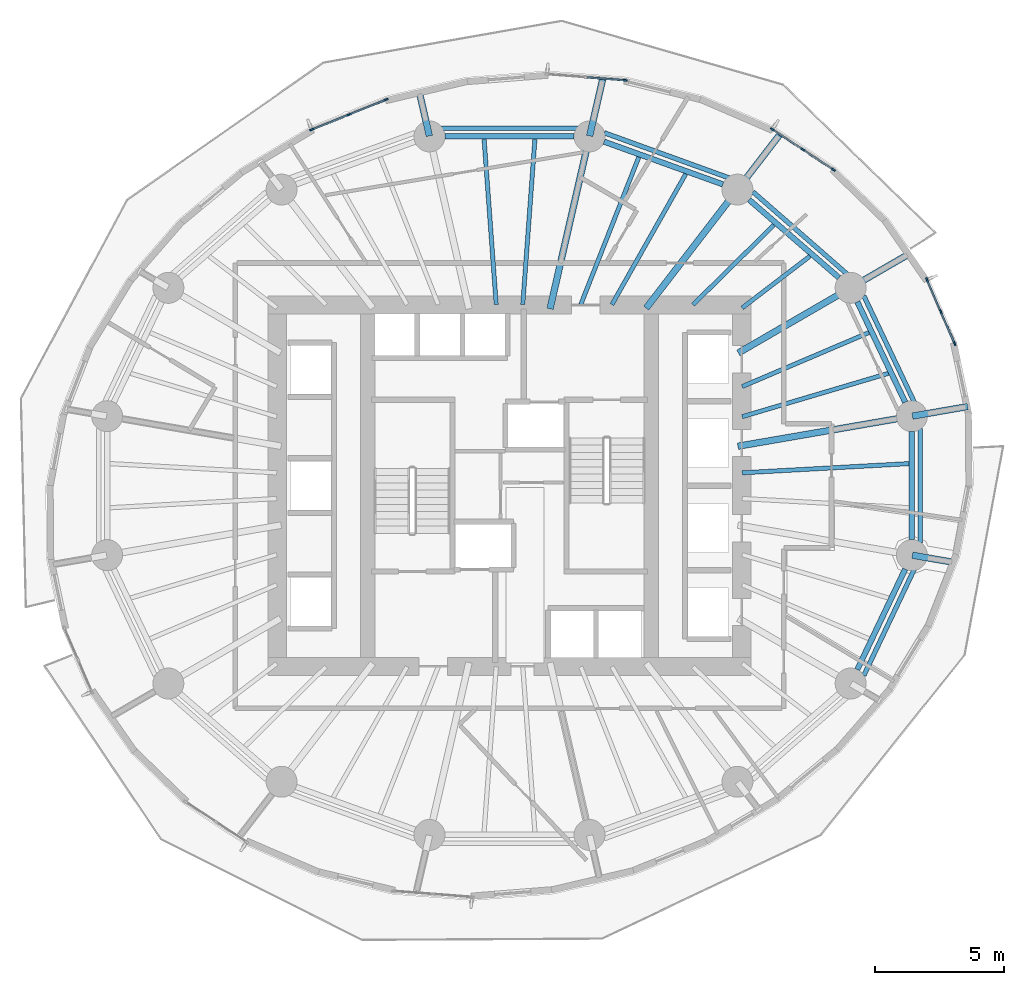
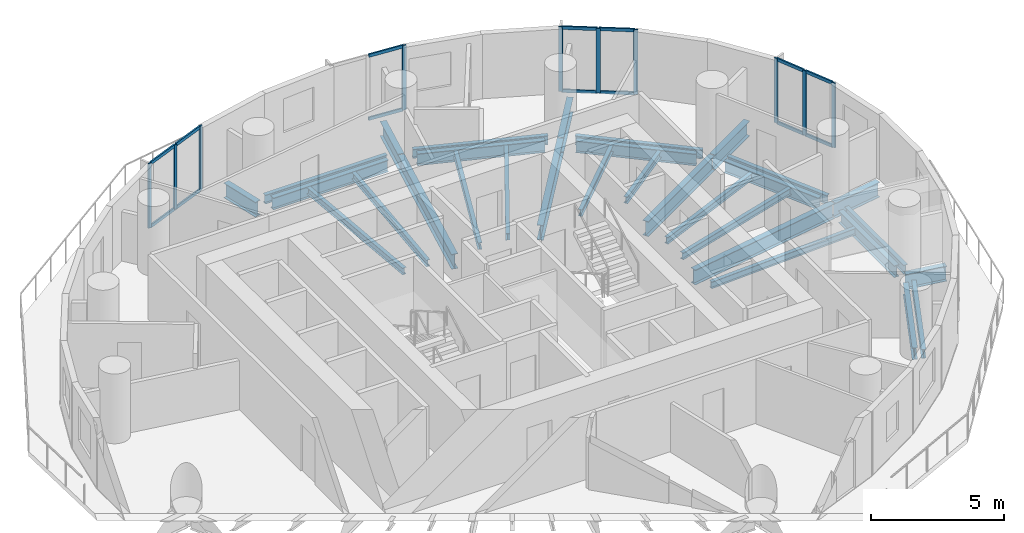
# One storey, part 4 of 14: 31 beams, 24 members, 4 elements without a shape of their own.
"""IFC4 building model written with IfcOpenShell, lengths in metres."""

from ifc_helpers import new_model, si_unit, direction, frame, origin, origin_2d, place, context, subcontext, project, spatial, rectangle, i_section, extrude, material, material_profile, profile_set, type_object, element, aggregate, save


model = new_model("IFC4")

# Units and contexts
model_context = context("Model", 3, precision=1e-05, world=origin(), true_north=direction((0.0, 1.0)))
body_context = subcontext(model_context, "Body", "Model", "MODEL_VIEW")
ifc_project = project(units=[si_unit("LENGTHUNIT", "METRE"), si_unit("AREAUNIT", "SQUARE_METRE"), si_unit("VOLUMEUNIT", "CUBIC_METRE"), si_unit("PLANEANGLEUNIT", "RADIAN"), si_unit("MASSUNIT", "GRAM", prefix="KILO")], contexts=[model_context])

# Site, building, storey
site_placement = place(None, origin())
site = spatial("IfcSite", under=ifc_project, at=site_placement, CompositionType="ELEMENT")
building_placement = place(site_placement, origin())
building = spatial("IfcBuilding", under=site, at=building_placement, Name="Veldorim Arch Residences", CompositionType="ELEMENT")
storey_placement = place(building_placement, frame((0.0, 0.0, 77.280029296875)))
storey = spatial("IfcBuildingStorey", under=building, at=storey_placement, Name="L22", CompositionType="ELEMENT", Elevation=77.280029296875)

# Beams
ifc_material_1 = material(Name="Steel S355", Category="steel")
ifc_material_profile_1 = material_profile(ifc_material_1, i_section(OverallWidth=0.2119140625, OverallDepth=0.54443359375, WebThickness=0.0126953125, FlangeThickness=0.021240234375, at=origin_2d()), Name="UB533x210x122")
ifc_profile_set_1 = profile_set([ifc_material_profile_1], Name="Steel S355")
beam_type_1 = type_object("IfcBeamType", Name="Structural Steel Beam UB533x210x122", PredefinedType="BEAM", material=ifc_profile_set_1)
beam_1_placement = place(storey_placement, frame((47.336181640625, 27.233642578125, -0.51220703125), z_axis=(-0.430720154476, 0.902485539235, 0.0), x_axis=(-0.902485539235, -0.430720154476, 0.0)))
element("IfcBeam", 1, at=beam_1_placement, inside=storey, type_object=beam_type_1, Name="L22 perimeter ring tie beam 01", PredefinedType="BEAM", context=body_context, shape_type="SweptSolid", body=[
    extrude(i_section(OverallWidth=0.2119140625, OverallDepth=0.54443359375, WebThickness=0.0126953125, FlangeThickness=0.021240234375, at=origin_2d()), origin(), (0.0, 0.0, 1.0), 4.312255859375),
])
beam_2_placement = place(storey_placement, frame((44.767333984375, 32.060302734375, -0.51220703125), z_axis=(-0.755244952556, 0.655442645576, 0.0), x_axis=(-0.655442645576, -0.755244952556, 0.0)))
element("IfcBeam", 2, at=beam_2_placement, inside=storey, type_object=beam_type_1, Name="L22 perimeter ring tie beam 02", PredefinedType="BEAM", context=body_context, shape_type="SweptSolid", body=[
    extrude(i_section(OverallWidth=0.2119140625, OverallDepth=0.54443359375, WebThickness=0.0126953125, FlangeThickness=0.021240234375, at=origin_2d()), origin(), (0.0, 0.0, 1.0), 4.608642578125),
])
beam_3_placement = place(storey_placement, frame((40.26904296875, 35.67724609375, -0.51220703125), z_axis=(-0.941041944493, 0.338289903343, 0.0), x_axis=(-0.338289903343, -0.941041944493, 0.0)))
element("IfcBeam", 3, at=beam_3_placement, inside=storey, type_object=beam_type_1, Name="L22 perimeter ring tie beam 03", PredefinedType="BEAM", context=body_context, shape_type="SweptSolid", body=[
    extrude(i_section(OverallWidth=0.2119140625, OverallDepth=0.54443359375, WebThickness=0.0126953125, FlangeThickness=0.021240234375, at=origin_2d()), origin(), (0.0, 0.0, 1.0), 4.890869140625),
])
beam_4_placement = place(storey_placement, frame((34.501953125, 37.534912109375, -0.51220703125), z_axis=(-1.0, 0.0, 0.0), x_axis=(0.0, -1.0, 0.0)))
element("IfcBeam", 4, at=beam_4_placement, inside=storey, type_object=beam_type_1, Name="L22 perimeter ring tie beam 04", PredefinedType="BEAM", context=body_context, shape_type="SweptSolid", body=[
    extrude(i_section(OverallWidth=0.2119140625, OverallDepth=0.54443359375, WebThickness=0.0126953125, FlangeThickness=0.021240234375, at=origin_2d()), origin(), (0.0, 0.0, 1.0), 5.00390625),
])
beam_5_placement = place(storey_placement, frame((45.478759765625, 16.87451171875, -0.51220703125), z_axis=(0.430720154476, 0.902485539235, 0.0), x_axis=(-0.902485539235, 0.430720154476, 0.0)))
element("IfcBeam", 5, at=beam_5_placement, inside=storey, type_object=beam_type_1, Name="L22 perimeter ring tie beam 15", PredefinedType="BEAM", context=body_context, shape_type="SweptSolid", body=[
    extrude(i_section(OverallWidth=0.2119140625, OverallDepth=0.54443359375, WebThickness=0.0126953125, FlangeThickness=0.021240234375, at=origin_2d()), origin(), (0.0, 0.0, 1.0), 4.312255859375),
])
beam_6_placement = place(storey_placement, frame((47.594482421875, 21.90771484375, -0.51220703125), z_axis=(0.0, 1.0, 0.0), x_axis=(-1.0, 0.0, 0.0)))
element("IfcBeam", 6, at=beam_6_placement, inside=storey, type_object=beam_type_1, Name="L22 perimeter ring tie beam 16", PredefinedType="BEAM", context=body_context, shape_type="SweptSolid", body=[
    extrude(i_section(OverallWidth=0.2119140625, OverallDepth=0.54443359375, WebThickness=0.0126953125, FlangeThickness=0.021240234375, at=origin_2d()), origin(), (0.0, 0.0, 1.0), 4.1845703125),
])
ifc_material_2 = material(Name="Steel S355", Category="steel")
ifc_material_profile_2 = material_profile(ifc_material_2, i_section(OverallWidth=0.25439453125, OverallDepth=0.6875, WebThickness=0.01318359375, FlangeThickness=0.02099609375, at=origin_2d()), Name="UB686x254x152")
ifc_profile_set_2 = profile_set([ifc_material_profile_2], Name="Steel S355")
beam_type_2 = type_object("IfcBeamType", Name="Structural Steel GIRDER UB686x254x152", PredefinedType="USERDEFINED", material=ifc_profile_set_2)
beam_7_placement = place(storey_placement, frame((40.852294921875, 25.5283203125, -0.583740234375), z_axis=(0.985426622718, 0.17010106184, 0.0), x_axis=(-0.17010106184, 0.985426622718, 0.0)))
element("IfcBeam", 7, at=beam_7_placement, inside=storey, type_object=beam_type_2, Name="L22 radial floor girder 01", ObjectType="GIRDER", PredefinedType="USERDEFINED", context=body_context, shape_type="SweptSolid", body=[
    extrude(i_section(OverallWidth=0.25439453125, OverallDepth=0.6875, WebThickness=0.01318359375, FlangeThickness=0.02099609375, at=origin_2d()), origin(), (0.0, 0.0, 1.0), 6.82177734375),
])
beam_8_placement = place(storey_placement, frame((47.6142578125, 26.695556640625, -0.583740234375), z_axis=(0.985415364323, 0.170166270909, 0.0), x_axis=(-0.170166270909, 0.985415364323, 0.0)))
element("IfcBeam", 8, at=beam_8_placement, inside=storey, type_object=beam_type_2, Name="L22 radial edge cantilever girder 01", ObjectType="GIRDER", PredefinedType="USERDEFINED", context=body_context, shape_type="SweptSolid", body=[
    extrude(i_section(OverallWidth=0.25439453125, OverallDepth=0.6875, WebThickness=0.01318359375, FlangeThickness=0.02099609375, at=origin_2d()), origin(), (0.0, 0.0, 1.0), 2.175048828125),
])
beam_9_placement = place(storey_placement, frame((40.8701171875, 29.14404296875, -0.583740234375), z_axis=(0.865048957682, 0.501687453314, 0.0), x_axis=(-0.501687453314, 0.865048957682, 0.0)))
element("IfcBeam", 9, at=beam_9_placement, inside=storey, type_object=beam_type_2, Name="L22 radial floor girder 02", ObjectType="GIRDER", PredefinedType="USERDEFINED", context=body_context, shape_type="SweptSolid", body=[
    extrude(i_section(OverallWidth=0.25439453125, OverallDepth=0.6875, WebThickness=0.01318359375, FlangeThickness=0.02099609375, at=origin_2d()), origin(), (0.0, 0.0, 1.0), 5.009033203125),
])
beam_10_placement = place(storey_placement, frame((45.23779296875, 31.677001953125, -0.583740234375), z_axis=(0.86504998688, 0.501685678687, 0.0), x_axis=(-0.501685678687, 0.86504998688, 0.0)))
element("IfcBeam", 10, at=beam_10_placement, inside=storey, type_object=beam_type_2, Name="L22 radial edge cantilever girder 02", ObjectType="GIRDER", PredefinedType="USERDEFINED", context=body_context, shape_type="SweptSolid", body=[
    extrude(i_section(OverallWidth=0.25439453125, OverallDepth=0.6875, WebThickness=0.01318359375, FlangeThickness=0.02099609375, at=origin_2d()), origin(), (0.0, 0.0, 1.0), 2.5927734375),
])
beam_11_placement = place(storey_placement, frame((37.297607421875, 30.881103515625, -0.583740234375), z_axis=(0.609994628196, 0.792405548676, 0.0), x_axis=(-0.792405548676, 0.609994628196, 0.0)))
element("IfcBeam", 11, at=beam_11_placement, inside=storey, type_object=beam_type_2, Name="L22 radial floor girder 03", ObjectType="GIRDER", PredefinedType="USERDEFINED", context=body_context, shape_type="SweptSolid", body=[
    extrude(i_section(OverallWidth=0.25439453125, OverallDepth=0.6875, WebThickness=0.01318359375, FlangeThickness=0.02099609375, at=origin_2d()), origin(), (0.0, 0.0, 1.0), 5.776611328125),
])
beam_12_placement = place(storey_placement, frame((40.845703125, 35.489990234375, -0.583740234375), z_axis=(0.609966828657, 0.792426948014, 0.0), x_axis=(-0.792426948014, 0.609966828657, 0.0)))
element("IfcBeam", 12, at=beam_12_placement, inside=storey, type_object=beam_type_2, Name="L22 radial edge cantilever girder 03", ObjectType="GIRDER", PredefinedType="USERDEFINED", context=body_context, shape_type="SweptSolid", body=[
    extrude(i_section(OverallWidth=0.25439453125, OverallDepth=0.6875, WebThickness=0.01318359375, FlangeThickness=0.02099609375, at=origin_2d()), origin(), (0.0, 0.0, 1.0), 2.672119140625),
])
beam_13_placement = place(storey_placement, frame((33.57080078125, 30.853759765625, -0.583740234375), z_axis=(0.223374742148, 0.97473264261, 0.0), x_axis=(-0.97473264261, 0.223374742148, 0.0)))
element("IfcBeam", 13, at=beam_13_placement, inside=storey, type_object=beam_type_2, Name="L22 radial floor girder 04", ObjectType="GIRDER", PredefinedType="USERDEFINED", context=body_context, shape_type="SweptSolid", body=[
    extrude(i_section(OverallWidth=0.25439453125, OverallDepth=0.6875, WebThickness=0.01318359375, FlangeThickness=0.02099609375, at=origin_2d()), origin(), (0.0, 0.0, 1.0), 6.834228515625),
])
beam_14_placement = place(storey_placement, frame((35.1064453125, 37.55419921875, -0.583740234375), z_axis=(0.223344244507, 0.974739631104, 0.0), x_axis=(-0.974739631104, 0.223344244507, 0.0)))
element("IfcBeam", 14, at=beam_14_placement, inside=storey, type_object=beam_type_2, Name="L22 radial edge cantilever girder 04", ObjectType="GIRDER", PredefinedType="USERDEFINED", context=body_context, shape_type="SweptSolid", body=[
    extrude(i_section(OverallWidth=0.25439453125, OverallDepth=0.6875, WebThickness=0.01318359375, FlangeThickness=0.02099609375, at=origin_2d()), origin(), (0.0, 0.0, 1.0), 2.271484375),
])
beam_15_placement = place(storey_placement, frame((28.8935546875, 37.55419921875, -0.583740234375), z_axis=(-0.223279477519, 0.974754469043, 0.0), x_axis=(-0.974754469043, -0.223279477519, 0.0)))
element("IfcBeam", 15, at=beam_15_placement, inside=storey, type_object=beam_type_2, Name="L22 radial edge cantilever girder 05", ObjectType="GIRDER", PredefinedType="USERDEFINED", context=body_context, shape_type="SweptSolid", body=[
    extrude(i_section(OverallWidth=0.25439453125, OverallDepth=0.6875, WebThickness=0.01318359375, FlangeThickness=0.02099609375, at=origin_2d()), origin(), (0.0, 0.0, 1.0), 1.74951171875),
])
beam_16_placement = place(storey_placement, frame((47.6142578125, 21.304443359375, -0.583740234375), z_axis=(0.985419516266, -0.170142225688, 0.0), x_axis=(0.170142225688, 0.985419516266, 0.0)))
element("IfcBeam", 16, at=beam_16_placement, inside=storey, type_object=beam_type_2, Name="L22 radial edge cantilever girder 16", ObjectType="GIRDER", PredefinedType="USERDEFINED", context=body_context, shape_type="SweptSolid", body=[
    extrude(i_section(OverallWidth=0.25439453125, OverallDepth=0.6875, WebThickness=0.01318359375, FlangeThickness=0.02099609375, at=origin_2d()), origin(), (0.0, 0.0, 1.0), 1.633056640625),
])
ifc_material_3 = material(Name="Steel S355", Category="steel")
ifc_material_profile_3 = material_profile(ifc_material_3, i_section(OverallWidth=0.165771484375, OverallDepth=0.306640625, WebThickness=0.006591796875, FlangeThickness=0.01171875, at=origin_2d()), Name="UB305x165x46")
ifc_profile_set_3 = profile_set([ifc_material_profile_3], Name="Steel S355")
beam_type_3 = type_object("IfcBeamType", Name="Structural Steel Joist UB305x165x46", PredefinedType="JOIST", material=ifc_profile_set_3)
beam_17_placement = place(storey_placement, frame((41.019287109375, 26.673583984375, -0.393310546875), z_axis=(0.958753061488, 0.284240333324, 0.0), x_axis=(-0.284240333324, 0.958753061488, 0.0)))
element("IfcBeam", 17, at=beam_17_placement, inside=storey, type_object=beam_type_3, Name="L22 secondary radial floor joist 01-1", PredefinedType="JOIST", context=body_context, shape_type="SweptSolid", body=[
    extrude(i_section(OverallWidth=0.165771484375, OverallDepth=0.306640625, WebThickness=0.006591796875, FlangeThickness=0.01171875, at=origin_2d()), origin(), (0.0, 0.0, 1.0), 5.906005859375),
])
beam_18_placement = place(storey_placement, frame((41.018310546875, 27.841552734375, -0.393310546875), z_axis=(0.919997395122, 0.391924473552, 0.0), x_axis=(-0.391924473552, 0.919997395122, 0.0)))
element("IfcBeam", 18, at=beam_18_placement, inside=storey, type_object=beam_type_3, Name="L22 secondary radial floor joist 01-2", PredefinedType="JOIST", context=body_context, shape_type="SweptSolid", body=[
    extrude(i_section(OverallWidth=0.165771484375, OverallDepth=0.306640625, WebThickness=0.006591796875, FlangeThickness=0.01171875, at=origin_2d()), origin(), (0.0, 0.0, 1.0), 5.334716796875),
])
beam_19_placement = place(storey_placement, frame((41.015869140625, 30.888427734375, -0.393310546875), z_axis=(0.794594763594, 0.60714014994, 0.0), x_axis=(-0.60714014994, 0.794594763594, 0.0)))
element("IfcBeam", 19, at=beam_19_placement, inside=storey, type_object=beam_type_3, Name="L22 secondary radial floor joist 02-1", PredefinedType="JOIST", context=body_context, shape_type="SweptSolid", body=[
    extrude(i_section(OverallWidth=0.165771484375, OverallDepth=0.306640625, WebThickness=0.006591796875, FlangeThickness=0.01171875, at=origin_2d()), origin(), (0.0, 0.0, 1.0), 3.30419921875),
])
beam_20_placement = place(storey_placement, frame((39.114013671875, 31.013916015625, -0.393310546875), z_axis=(0.712111629941, 0.702066255066, 0.0), x_axis=(-0.702066255066, 0.712111629941, 0.0)))
element("IfcBeam", 20, at=beam_20_placement, inside=storey, type_object=beam_type_3, Name="L22 secondary radial floor joist 02-2", PredefinedType="JOIST", context=body_context, shape_type="SweptSolid", body=[
    extrude(i_section(OverallWidth=0.165771484375, OverallDepth=0.306640625, WebThickness=0.006591796875, FlangeThickness=0.01171875, at=origin_2d()), origin(), (0.0, 0.0, 1.0), 4.39892578125),
])
beam_21_placement = place(storey_placement, frame((35.96826171875, 31.017333984375, -0.393310546875), z_axis=(0.492227411199, 0.870466642476, 0.0), x_axis=(-0.870466642476, 0.492227411199, 0.0)))
element("IfcBeam", 21, at=beam_21_placement, inside=storey, type_object=beam_type_3, Name="L22 secondary radial floor joist 03-1", PredefinedType="JOIST", context=body_context, shape_type="SweptSolid", body=[
    extrude(i_section(OverallWidth=0.165771484375, OverallDepth=0.306640625, WebThickness=0.006591796875, FlangeThickness=0.01171875, at=origin_2d()), origin(), (0.0, 0.0, 1.0), 5.81494140625),
])
beam_22_placement = place(storey_placement, frame((34.761962890625, 31.0185546875, -0.393310546875), z_axis=(0.366194870364, 0.930538186707, 0.0), x_axis=(-0.930538186707, 0.366194870364, 0.0)))
element("IfcBeam", 22, at=beam_22_placement, inside=storey, type_object=beam_type_3, Name="L22 secondary radial floor joist 03-2", PredefinedType="JOIST", context=body_context, shape_type="SweptSolid", body=[
    extrude(i_section(OverallWidth=0.165771484375, OverallDepth=0.306640625, WebThickness=0.006591796875, FlangeThickness=0.01171875, at=origin_2d()), origin(), (0.0, 0.0, 1.0), 6.1396484375),
])
for number, where, z_axis, x_axis, name in (
    (23, (32.514892578125, 31.02001953125, -0.393310546875), (0.073143494169, 0.997321427254, 0.0), (-0.997321427254, 0.073143494169, 0.0), "L22 secondary radial floor joist 04-1"),
    (24, (31.485107421875, 31.02001953125, -0.393310546875), (-0.073143494169, 0.997321427254, 0.0), (-0.997321427254, -0.073143494169, 0.0), "L22 secondary radial floor joist 04-2"),
):
    element("IfcBeam", number, at=place(storey_placement, frame(where, z_axis=z_axis, x_axis=x_axis)), inside=storey, type_object=beam_type_3, Name=name, PredefinedType="JOIST", context=body_context, shape_type="SweptSolid", body=[
        extrude(i_section(OverallWidth=0.165771484375, OverallDepth=0.306640625, WebThickness=0.006591796875, FlangeThickness=0.01171875, at=origin_2d()), origin(), (0.0, 0.0, 1.0), 6.421875),
    ])
beam_23_placement = place(storey_placement, frame((41.02001953125, 24.498291015625, -0.393310546875), z_axis=(0.99847713097, 0.055167190702, 0.0), x_axis=(-0.055167190702, 0.99847713097, 0.0)))
element("IfcBeam", 25, at=beam_23_placement, inside=storey, type_object=beam_type_3, Name="L22 secondary radial floor joist 16-2", PredefinedType="JOIST", context=body_context, shape_type="SweptSolid", body=[
    extrude(i_section(OverallWidth=0.165771484375, OverallDepth=0.306640625, WebThickness=0.006591796875, FlangeThickness=0.01171875, at=origin_2d()), origin(), (0.0, 0.0, 1.0), 6.474365234375),
])
ifc_material_4 = material(Name="Steel S355", Category="steel")
ifc_material_profile_4 = material_profile(ifc_material_4, i_section(OverallWidth=0.1787109375, OverallDepth=0.409423828125, WebThickness=0.0087890625, FlangeThickness=0.014404296875, at=origin_2d()), Name="UB406x178x67")
ifc_profile_set_4 = profile_set([ifc_material_profile_4], Name="Steel S355")
beam_type_4 = type_object("IfcBeamType", Name="Structural Steel Spandrel UB406x178x67", PredefinedType="SPANDREL", material=ifc_profile_set_4)
beam_24_placement = place(storey_placement, frame((47.693115234375, 27.225341796875, -0.46484375), z_axis=(-0.428857472204, 0.903372165021, 0.0), x_axis=(-0.903372165021, -0.428857472204, 0.0)))
element("IfcBeam", 26, at=beam_24_placement, inside=storey, type_object=beam_type_4, Name="L22 perimeter chord spandrel beam 01", PredefinedType="SPANDREL", context=body_context, shape_type="SweptSolid", body=[
    extrude(i_section(OverallWidth=0.1787109375, OverallDepth=0.409423828125, WebThickness=0.0087890625, FlangeThickness=0.014404296875, at=origin_2d()), origin(), (0.0, 0.0, 1.0), 4.572021484375),
])
beam_25_placement = place(storey_placement, frame((45.108154296875, 32.1796875, -0.46484375), z_axis=(-0.753323239074, 0.65765043714, 0.0), x_axis=(-0.65765043714, -0.753323239074, 0.0)))
element("IfcBeam", 27, at=beam_25_placement, inside=storey, type_object=beam_type_4, Name="L22 perimeter chord spandrel beam 02", PredefinedType="SPANDREL", context=body_context, shape_type="SweptSolid", body=[
    extrude(i_section(OverallWidth=0.1787109375, OverallDepth=0.409423828125, WebThickness=0.0087890625, FlangeThickness=0.014404296875, at=origin_2d()), origin(), (0.0, 0.0, 1.0), 4.879150390625),
])
beam_26_placement = place(storey_placement, frame((40.538330078125, 35.91552734375, -0.46484375), z_axis=(-0.940307501418, 0.340326024244, 0.0), x_axis=(-0.340326024244, -0.940307501418, 0.0)))
element("IfcBeam", 28, at=beam_26_placement, inside=storey, type_object=beam_type_4, Name="L22 perimeter chord spandrel beam 03", PredefinedType="SPANDREL", context=body_context, shape_type="SweptSolid", body=[
    extrude(i_section(OverallWidth=0.1787109375, OverallDepth=0.409423828125, WebThickness=0.0087890625, FlangeThickness=0.014404296875, at=origin_2d()), origin(), (0.0, 0.0, 1.0), 5.175048828125),
])
beam_27_placement = place(storey_placement, frame((34.647705078125, 37.8564453125, -0.46484375), z_axis=(-1.0, 0.0, 0.0), x_axis=(0.0, -1.0, 0.0)))
element("IfcBeam", 29, at=beam_27_placement, inside=storey, type_object=beam_type_4, Name="L22 perimeter chord spandrel beam 04", PredefinedType="SPANDREL", context=body_context, shape_type="SweptSolid", body=[
    extrude(i_section(OverallWidth=0.1787109375, OverallDepth=0.409423828125, WebThickness=0.0087890625, FlangeThickness=0.014404296875, at=origin_2d()), origin(), (0.0, 0.0, 1.0), 5.29541015625),
])
beam_28_placement = place(storey_placement, frame((45.732421875, 16.64453125, -0.46484375), z_axis=(0.428857472204, 0.903372165021, 0.0), x_axis=(-0.903372165021, 0.428857472204, 0.0)))
element("IfcBeam", 30, at=beam_28_placement, inside=storey, type_object=beam_type_4, Name="L22 perimeter chord spandrel beam 15", PredefinedType="SPANDREL", context=body_context, shape_type="SweptSolid", body=[
    extrude(i_section(OverallWidth=0.1787109375, OverallDepth=0.409423828125, WebThickness=0.0087890625, FlangeThickness=0.014404296875, at=origin_2d()), origin(), (0.0, 0.0, 1.0), 4.572021484375),
])
beam_29_placement = place(storey_placement, frame((47.919677734375, 21.77978515625, -0.46484375), z_axis=(0.0, 1.0, 0.0), x_axis=(-1.0, 0.0, 0.0)))
element("IfcBeam", 31, at=beam_29_placement, inside=storey, type_object=beam_type_4, Name="L22 perimeter chord spandrel beam 16", PredefinedType="SPANDREL", context=body_context, shape_type="SweptSolid", body=[
    extrude(i_section(OverallWidth=0.1787109375, OverallDepth=0.409423828125, WebThickness=0.0087890625, FlangeThickness=0.014404296875, at=origin_2d()), origin(), (0.0, 0.0, 1.0), 4.4404296875),
])

# Curtain wall, members
ifc_material_5 = material(Name="Aluminium", Category="aluminium")
curtain_wall_type = type_object("IfcCurtainWallType", Name="Zone 2 Solar-Control Unitised Curtain Wall", PredefinedType="NOTDEFINED", material=ifc_material_5)
curtain_wall_1_placement = place(storey_placement, origin())
curtain_wall_1 = element("IfcCurtainWall", 32, at=curtain_wall_1_placement, inside=storey, type_object=curtain_wall_type, Name="L22 unitised curtain wall bay 01", PredefinedType="NOTDEFINED")
ifc_material_6 = material(Name="Aluminium", Category="aluminium")
ifc_material_profile_5 = material_profile(ifc_material_6, rectangle(XDim=0.06494140625, YDim=0.1650390625, at=origin_2d()), Name="ALU_MUL_65x165")
ifc_profile_set_5 = profile_set([ifc_material_profile_5], Name="Aluminium")
member_type_1 = type_object("IfcMemberType", Name="Zone 2 Solar-Control Unitised Curtain Wall Mullion 65x165", PredefinedType="MULLION", material=ifc_profile_set_5)
member_1_placement = place(storey_placement, frame((48.1796875, 31.98046875, 0.0), z_axis=(0.0, 0.0, 1.0), x_axis=(0.917796682643, 0.397050688615, 0.0)))
member_1 = element("IfcMember", 33, at=member_1_placement, type_object=member_type_1, Name="CW-Z2 mullion 1", PredefinedType="MULLION", context=body_context, shape_type="SweptSolid", body=[
    extrude(rectangle(XDim=0.06494140625, YDim=0.1650390625, at=origin_2d()), origin(), (0.0, 0.0, 1.0), 2.9599609375),
])
member_2_placement = place(storey_placement, frame((48.714111328125, 30.744873046875, 0.0), z_axis=(0.0, 0.0, 1.0), x_axis=(0.917796682643, 0.397050688615, 0.0)))
member_2 = element("IfcMember", 34, at=member_2_placement, type_object=member_type_1, Name="CW-Z2 mullion 2", PredefinedType="MULLION", context=body_context, shape_type="SweptSolid", body=[
    extrude(rectangle(XDim=0.06494140625, YDim=0.1650390625, at=origin_2d()), origin(), (0.0, 0.0, 1.0), 2.9599609375),
])
member_3_placement = place(storey_placement, frame((49.248779296875, 29.50927734375, 0.0), z_axis=(0.0, 0.0, 1.0), x_axis=(0.917796682643, 0.397050688615, 0.0)))
member_3 = element("IfcMember", 35, at=member_3_placement, type_object=member_type_1, Name="CW-Z2 mullion 3", PredefinedType="MULLION", context=body_context, shape_type="SweptSolid", body=[
    extrude(rectangle(XDim=0.06494140625, YDim=0.1650390625, at=origin_2d()), origin(), (0.0, 0.0, 1.0), 2.9599609375),
])

curtain_wall_2_placement = place(storey_placement, origin())
curtain_wall_2 = element("IfcCurtainWall", 36, at=curtain_wall_2_placement, inside=storey, type_object=curtain_wall_type, Name="L22 unitised curtain wall bay 04", PredefinedType="NOTDEFINED")
member_4_placement = place(storey_placement, frame((42.186279296875, 37.810302734375, 0.0), z_axis=(0.0, 0.0, 1.0), x_axis=(0.551503414596, 0.834172634224, 0.0)))
member_4 = element("IfcMember", 37, at=member_4_placement, type_object=member_type_1, Name="CW-Z2 mullion 1", PredefinedType="MULLION", context=body_context, shape_type="SweptSolid", body=[
    extrude(rectangle(XDim=0.06494140625, YDim=0.1650390625, at=origin_2d()), origin(), (0.0, 0.0, 1.0), 2.9599609375),
])
member_5_placement = place(storey_placement, frame((43.3681640625, 37.029052734375, 0.0), z_axis=(0.0, 0.0, 1.0), x_axis=(0.551503414596, 0.834172634224, 0.0)))
member_5 = element("IfcMember", 38, at=member_5_placement, type_object=member_type_1, Name="CW-Z2 mullion 2", PredefinedType="MULLION", context=body_context, shape_type="SweptSolid", body=[
    extrude(rectangle(XDim=0.06494140625, YDim=0.1650390625, at=origin_2d()), origin(), (0.0, 0.0, 1.0), 2.9599609375),
])
member_6_placement = place(storey_placement, frame((44.5498046875, 36.247802734375, 0.0), z_axis=(0.0, 0.0, 1.0), x_axis=(0.551503414596, 0.834172634224, 0.0)))
member_6 = element("IfcMember", 39, at=member_6_placement, type_object=member_type_1, Name="CW-Z2 mullion 3", PredefinedType="MULLION", context=body_context, shape_type="SweptSolid", body=[
    extrude(rectangle(XDim=0.06494140625, YDim=0.1650390625, at=origin_2d()), origin(), (0.0, 0.0, 1.0), 2.9599609375),
])

# Curtain wall, member
curtain_wall_3_placement = place(storey_placement, origin())
curtain_wall_3 = element("IfcCurtainWall", 40, at=curtain_wall_3_placement, inside=storey, type_object=curtain_wall_type, Name="L22 unitised curtain wall bay 07", PredefinedType="NOTDEFINED")
member_7_placement = place(storey_placement, frame((36.486328125, 39.710205078125, 0.0), z_axis=(0.0, 0.0, 1.0), x_axis=(0.076696498885, 0.997054485502, 0.0)))
member_7 = element("IfcMember", 41, at=member_7_placement, type_object=member_type_1, Name="CW-Z2 mullion 3", PredefinedType="MULLION", context=body_context, shape_type="SweptSolid", body=[
    extrude(rectangle(XDim=0.06494140625, YDim=0.1650390625, at=origin_2d()), origin(), (0.0, 0.0, 1.0), 2.9599609375),
])

# Curtain wall, members
curtain_wall_4_placement = place(storey_placement, origin())
curtain_wall_4 = element("IfcCurtainWall", 42, at=curtain_wall_4_placement, inside=storey, type_object=curtain_wall_type, Name="L22 unitised curtain wall bay 10", PredefinedType="NOTDEFINED")
member_8_placement = place(storey_placement, frame((24.3369140625, 37.79931640625, 0.0), z_axis=(0.0, 0.0, 1.0), x_axis=(-0.374353496038, 0.927286072366, 0.0)))
member_8 = element("IfcMember", 43, at=member_8_placement, type_object=member_type_1, Name="CW-Z2 mullion 1", PredefinedType="MULLION", context=body_context, shape_type="SweptSolid", body=[
    extrude(rectangle(XDim=0.06494140625, YDim=0.1650390625, at=origin_2d()), origin(), (0.0, 0.0, 1.0), 2.9599609375),
])
member_9_placement = place(storey_placement, frame((25.776123046875, 38.38037109375, 0.0), z_axis=(0.0, 0.0, 1.0), x_axis=(-0.374353496038, 0.927286072366, 0.0)))
member_9 = element("IfcMember", 44, at=member_9_placement, type_object=member_type_1, Name="CW-Z2 mullion 2", PredefinedType="MULLION", context=body_context, shape_type="SweptSolid", body=[
    extrude(rectangle(XDim=0.06494140625, YDim=0.1650390625, at=origin_2d()), origin(), (0.0, 0.0, 1.0), 2.9599609375),
])
member_10_placement = place(storey_placement, frame((27.215576171875, 38.96142578125, 0.0), z_axis=(0.0, 0.0, 1.0), x_axis=(-0.374353496038, 0.927286072366, 0.0)))
member_10 = element("IfcMember", 45, at=member_10_placement, type_object=member_type_1, Name="CW-Z2 mullion 3", PredefinedType="MULLION", context=body_context, shape_type="SweptSolid", body=[
    extrude(rectangle(XDim=0.06494140625, YDim=0.1650390625, at=origin_2d()), origin(), (0.0, 0.0, 1.0), 2.9599609375),
])

# Member
ifc_material_7 = material(Name="Aluminium", Category="aluminium")
ifc_material_profile_6 = material_profile(ifc_material_7, rectangle(XDim=0.06494140625, YDim=0.14501953125, at=origin_2d()), Name="ALU_TRN_65x145")
ifc_profile_set_6 = profile_set([ifc_material_profile_6], Name="Aluminium")
member_type_2 = type_object("IfcMemberType", Name="Zone 2 Solar-Control Unitised Curtain Wall Transom 65x145", PredefinedType="USERDEFINED", material=ifc_profile_set_6)
member_11_placement = place(storey_placement, frame((48.192626953125, 31.95068359375, 0.032470703125), z_axis=(0.396906812101, -0.917858912093, 0.0), x_axis=(0.917858912093, 0.396906812101, 0.0)))
member_11 = element("IfcMember", 46, at=member_11_placement, type_object=member_type_2, Name="CW-Z2 transom 1.1", ObjectType="TRANSOM", PredefinedType="USERDEFINED", context=body_context, shape_type="SweptSolid", body=[
    extrude(rectangle(XDim=0.06494140625, YDim=0.14501953125, at=origin_2d()), origin(), (0.0, 0.0, 1.0), 1.28125),
])

member_12_placement = place(storey_placement, frame((48.192626953125, 31.95068359375, 2.927490234375), z_axis=(0.396906812101, -0.917858912093, 0.0), x_axis=(0.917858912093, 0.396906812101, 0.0)))
member_12 = element("IfcMember", 47, at=member_12_placement, type_object=member_type_2, Name="CW-Z2 transom 1.2", ObjectType="TRANSOM", PredefinedType="USERDEFINED", context=body_context, shape_type="SweptSolid", body=[
    extrude(rectangle(XDim=0.06494140625, YDim=0.14501953125, at=origin_2d()), origin(), (0.0, 0.0, 1.0), 1.28125),
])

member_13_placement = place(storey_placement, frame((48.72705078125, 30.715087890625, 0.032470703125), z_axis=(0.397067322017, -0.91778948664, 0.0), x_axis=(0.91778948664, 0.397067322017, 0.0)))
member_13 = element("IfcMember", 48, at=member_13_placement, type_object=member_type_2, Name="CW-Z2 transom 2.1", ObjectType="TRANSOM", PredefinedType="USERDEFINED", context=body_context, shape_type="SweptSolid", body=[
    extrude(rectangle(XDim=0.06494140625, YDim=0.14501953125, at=origin_2d()), origin(), (0.0, 0.0, 1.0), 1.28125),
])

member_14_placement = place(storey_placement, frame((48.72705078125, 30.715087890625, 2.927490234375), z_axis=(0.397067322017, -0.91778948664, 0.0), x_axis=(0.91778948664, 0.397067322017, 0.0)))
member_14 = element("IfcMember", 49, at=member_14_placement, type_object=member_type_2, Name="CW-Z2 transom 2.2", ObjectType="TRANSOM", PredefinedType="USERDEFINED", context=body_context, shape_type="SweptSolid", body=[
    extrude(rectangle(XDim=0.06494140625, YDim=0.14501953125, at=origin_2d()), origin(), (0.0, 0.0, 1.0), 1.28125),
])

aggregate(curtain_wall_1, [member_1, member_2, member_3, member_11, member_12, member_13, member_14])

member_15_placement = place(storey_placement, frame((42.21337890625, 37.79248046875, 0.032470703125), z_axis=(0.834155806589, -0.551528866275, 0.0), x_axis=(0.551528866275, 0.834155806589, 0.0)))
member_15 = element("IfcMember", 50, at=member_15_placement, type_object=member_type_2, Name="CW-Z2 transom 1.1", ObjectType="TRANSOM", PredefinedType="USERDEFINED", context=body_context, shape_type="SweptSolid", body=[
    extrude(rectangle(XDim=0.06494140625, YDim=0.14501953125, at=origin_2d()), origin(), (0.0, 0.0, 1.0), 1.351806640625),
])

member_16_placement = place(storey_placement, frame((42.21337890625, 37.79248046875, 2.927490234375), z_axis=(0.834155806589, -0.551528866275, 0.0), x_axis=(0.551528866275, 0.834155806589, 0.0)))
member_16 = element("IfcMember", 51, at=member_16_placement, type_object=member_type_2, Name="CW-Z2 transom 1.2", ObjectType="TRANSOM", PredefinedType="USERDEFINED", context=body_context, shape_type="SweptSolid", body=[
    extrude(rectangle(XDim=0.06494140625, YDim=0.14501953125, at=origin_2d()), origin(), (0.0, 0.0, 1.0), 1.351806640625),
])

member_17_placement = place(storey_placement, frame((43.395263671875, 37.01123046875, 0.032470703125), z_axis=(0.834100860871, -0.551611959528, 0.0), x_axis=(0.551611959528, 0.834100860871, 0.0)))
member_17 = element("IfcMember", 52, at=member_17_placement, type_object=member_type_2, Name="CW-Z2 transom 2.1", ObjectType="TRANSOM", PredefinedType="USERDEFINED", context=body_context, shape_type="SweptSolid", body=[
    extrude(rectangle(XDim=0.06494140625, YDim=0.14501953125, at=origin_2d()), origin(), (0.0, 0.0, 1.0), 1.351806640625),
])

member_18_placement = place(storey_placement, frame((43.395263671875, 37.01123046875, 2.927490234375), z_axis=(0.834100860871, -0.551611959528, 0.0), x_axis=(0.551611959528, 0.834100860871, 0.0)))
member_18 = element("IfcMember", 53, at=member_18_placement, type_object=member_type_2, Name="CW-Z2 transom 2.2", ObjectType="TRANSOM", PredefinedType="USERDEFINED", context=body_context, shape_type="SweptSolid", body=[
    extrude(rectangle(XDim=0.06494140625, YDim=0.14501953125, at=origin_2d()), origin(), (0.0, 0.0, 1.0), 1.351806640625),
])

aggregate(curtain_wall_2, [member_4, member_5, member_6, member_15, member_16, member_17, member_18])

member_19_placement = place(storey_placement, frame((35.004638671875, 39.82421875, 0.032470703125), z_axis=(0.99704954324, -0.076760721237, 0.0), x_axis=(0.076760721237, 0.99704954324, 0.0)))
member_19 = element("IfcMember", 54, at=member_19_placement, type_object=member_type_2, Name="CW-Z2 transom 2.1", ObjectType="TRANSOM", PredefinedType="USERDEFINED", context=body_context, shape_type="SweptSolid", body=[
    extrude(rectangle(XDim=0.06494140625, YDim=0.14501953125, at=origin_2d()), origin(), (0.0, 0.0, 1.0), 1.45361328125),
])

member_20_placement = place(storey_placement, frame((35.004638671875, 39.82421875, 2.927490234375), z_axis=(0.99704954324, -0.076760721237, 0.0), x_axis=(0.076760721237, 0.99704954324, 0.0)))
member_20 = element("IfcMember", 55, at=member_20_placement, type_object=member_type_2, Name="CW-Z2 transom 2.2", ObjectType="TRANSOM", PredefinedType="USERDEFINED", context=body_context, shape_type="SweptSolid", body=[
    extrude(rectangle(XDim=0.06494140625, YDim=0.14501953125, at=origin_2d()), origin(), (0.0, 0.0, 1.0), 1.45361328125),
])

aggregate(curtain_wall_3, [member_7, member_19, member_20])

member_21_placement = place(storey_placement, frame((24.366943359375, 37.8115234375, 0.032470703125), z_axis=(0.927317450023, 0.374275763153, 0.0), x_axis=(-0.374275763153, 0.927317450023, 0.0)))
member_21 = element("IfcMember", 56, at=member_21_placement, type_object=member_type_2, Name="CW-Z2 transom 1.1", ObjectType="TRANSOM", PredefinedType="USERDEFINED", context=body_context, shape_type="SweptSolid", body=[
    extrude(rectangle(XDim=0.06494140625, YDim=0.14501953125, at=origin_2d()), origin(), (0.0, 0.0, 1.0), 1.4873046875),
])

member_22_placement = place(storey_placement, frame((24.366943359375, 37.8115234375, 2.927490234375), z_axis=(0.927317450023, 0.374275763153, 0.0), x_axis=(-0.374275763153, 0.927317450023, 0.0)))
member_22 = element("IfcMember", 57, at=member_22_placement, type_object=member_type_2, Name="CW-Z2 transom 1.2", ObjectType="TRANSOM", PredefinedType="USERDEFINED", context=body_context, shape_type="SweptSolid", body=[
    extrude(rectangle(XDim=0.06494140625, YDim=0.14501953125, at=origin_2d()), origin(), (0.0, 0.0, 1.0), 1.4873046875),
])

member_23_placement = place(storey_placement, frame((25.806396484375, 38.392578125, 0.032470703125), z_axis=(0.927317450023, 0.374275763153, 0.0), x_axis=(-0.374275763153, 0.927317450023, 0.0)))
member_23 = element("IfcMember", 58, at=member_23_placement, type_object=member_type_2, Name="CW-Z2 transom 2.1", ObjectType="TRANSOM", PredefinedType="USERDEFINED", context=body_context, shape_type="SweptSolid", body=[
    extrude(rectangle(XDim=0.06494140625, YDim=0.14501953125, at=origin_2d()), origin(), (0.0, 0.0, 1.0), 1.4873046875),
])

member_24_placement = place(storey_placement, frame((25.806396484375, 38.392578125, 2.927490234375), z_axis=(0.927317450023, 0.374275763153, 0.0), x_axis=(-0.374275763153, 0.927317450023, 0.0)))
member_24 = element("IfcMember", 59, at=member_24_placement, type_object=member_type_2, Name="CW-Z2 transom 2.2", ObjectType="TRANSOM", PredefinedType="USERDEFINED", context=body_context, shape_type="SweptSolid", body=[
    extrude(rectangle(XDim=0.06494140625, YDim=0.14501953125, at=origin_2d()), origin(), (0.0, 0.0, 1.0), 1.4873046875),
])

aggregate(curtain_wall_4, [member_8, member_9, member_10, member_21, member_22, member_23, member_24])

save(model, "model.ifc")
